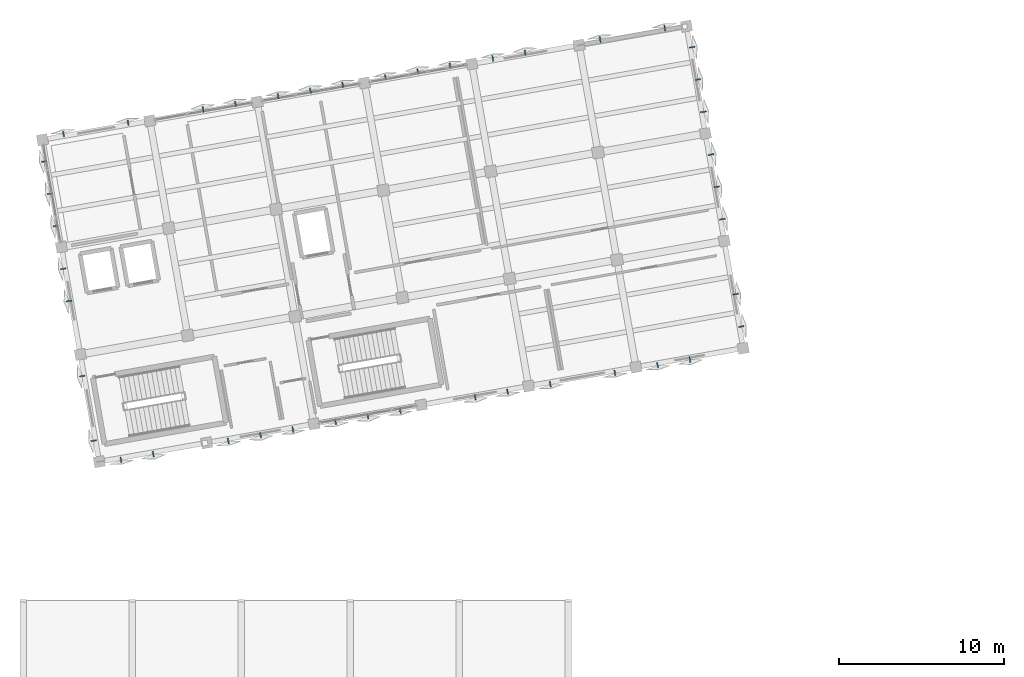
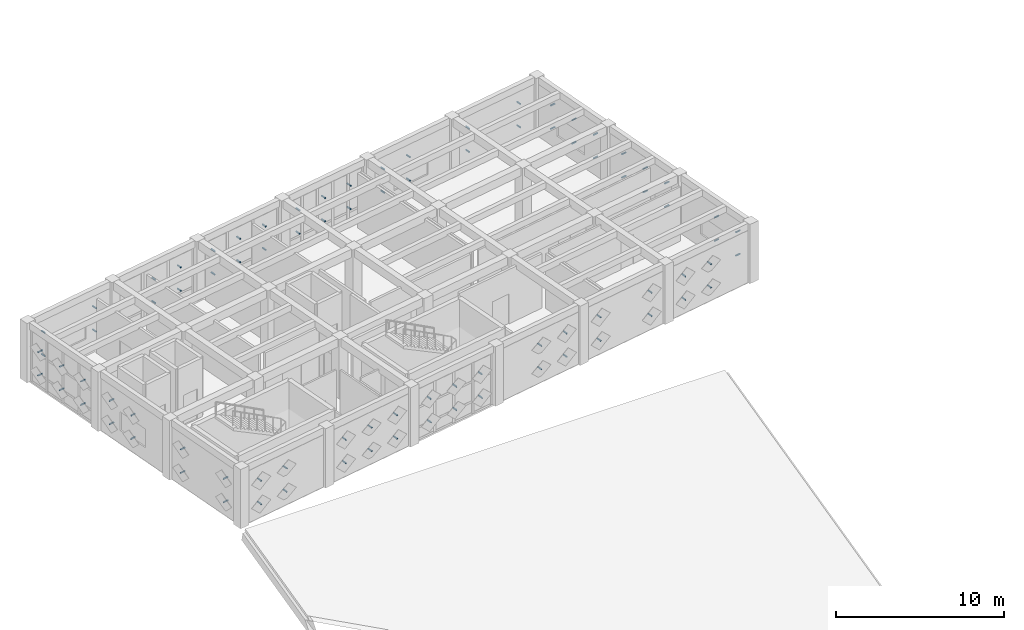
# One storey, part 34 of 39: 86 discrete accessories.
"""IFC4 building model written with IfcOpenShell, lengths in metres."""

from ifc_helpers import new_model, si_unit, direction, frame, origin, origin_2d, place, context, subcontext, project, spatial, hollow_rectangle, extrude, material, type_object, element, save


model = new_model("IFC4")

# Units and contexts
model_context = context("Model", 3, precision=1e-05, world=origin(), true_north=direction((0.0, 1.0)))
body_context = subcontext(model_context, "Body", "Model", "MODEL_VIEW")
ifc_project = project(units=[si_unit("LENGTHUNIT", "METRE"), si_unit("AREAUNIT", "SQUARE_METRE"), si_unit("VOLUMEUNIT", "CUBIC_METRE"), si_unit("PLANEANGLEUNIT", "RADIAN"), si_unit("MASSUNIT", "GRAM", prefix="KILO")], contexts=[model_context])

# Site, building, storey
site_placement = place(None, origin())
site = spatial("IfcSite", under=ifc_project, at=site_placement, CompositionType="ELEMENT")
building_placement = place(site_placement, origin())
building = spatial("IfcBuilding", under=site, at=building_placement, Name="Kharisveld Research Institute", CompositionType="ELEMENT")
storey_placement = place(building_placement, frame((0.0, 0.0, 23.10009765625)))
storey = spatial("IfcBuildingStorey", under=building, at=storey_placement, Name="L05", CompositionType="ELEMENT", Elevation=23.10009765625)

# Discrete accessories
ifc_material = material(Name="Steel S355JR", Category="steel")
discrete_accessory_type = type_object("IfcDiscreteAccessoryType", Name="BKT_ST_260", PredefinedType="BRACKET")
for number, where, z_axis, x_axis, name in (
    (1, (5.031005859375, 36.313720703125, 1.0498046875), (-0.984804615622, -0.173665969752, 0.0), (0.173665969752, -0.984804615622, 0.0), "BKT-SHD:V1:L05:W0:S0C0"),
    (2, (5.031005859375, 36.313720703125, 2.75), (-0.984804615622, -0.173665969752, 0.0), (0.173665969752, -0.984804615622, 0.0), "BKT-SHD:V1:L05:W0:S0C1"),
    (3, (4.341064453125, 40.226806640625, 1.0498046875), (-0.984804615622, -0.173665969752, 0.0), (0.173665969752, -0.984804615622, 0.0), "BKT-SHD:V1:L05:W0:S2C0"),
    (4, (4.341064453125, 40.226806640625, 2.75), (-0.984804615622, -0.173665969752, 0.0), (0.173665969752, -0.984804615622, 0.0), "BKT-SHD:V1:L05:W0:S2C1"),
    (5, (3.5400390625, 44.77001953125, 1.0498046875), (-0.984804615622, -0.173665969752, 0.0), (0.173665969752, -0.984804615622, 0.0), "BKT-SHD:V1:L05:W1:S1C0"),
    (6, (3.5400390625, 44.77001953125, 2.75), (-0.984804615622, -0.173665969752, 0.0), (0.173665969752, -0.984804615622, 0.0), "BKT-SHD:V1:L05:W1:S1C1"),
    (7, (3.195068359375, 46.7265625, 1.0498046875), (-0.984804615622, -0.173665969752, 0.0), (0.173665969752, -0.984804615622, 0.0), "BKT-SHD:V1:L05:W1:S2C0"),
    (8, (3.195068359375, 46.7265625, 2.75), (-0.984804615622, -0.173665969752, 0.0), (0.173665969752, -0.984804615622, 0.0), "BKT-SHD:V1:L05:W1:S2C1"),
):
    element("IfcDiscreteAccessory", number, at=place(storey_placement, frame(where, z_axis=z_axis, x_axis=x_axis)), inside=storey, type_object=discrete_accessory_type, material=ifc_material, Name=name, ObjectType="BRACKET", PredefinedType="BRACKET", context=body_context, shape_type="SweptSolid", body=[
        extrude(hollow_rectangle(XDim=0.080078125, YDim=0.080078125, WallThickness=0.0048828125, at=origin_2d()), origin(), (0.0, 0.0, 1.0), 0.35009765625),
    ])
for number, where, z_axis, x_axis, name in (
    (9, (2.73876953125, 49.313232421875, 1.0498046875), (-0.984783558818, -0.173785333909, 0.0), (0.173785333909, -0.984783558818, 0.0), "BKT-SHD:V1:L05:W2:S0C0"),
    (10, (2.73876953125, 49.313232421875, 2.75), (-0.984783558818, -0.173785333909, 0.0), (0.173785333909, -0.984783558818, 0.0), "BKT-SHD:V1:L05:W2:S0C1"),
    (11, (2.393798828125, 51.269775390625, 1.0498046875), (-0.984783558818, -0.173785333909, 0.0), (0.173785333909, -0.984783558818, 0.0), "BKT-SHD:V1:L05:W2:S1C0"),
    (12, (2.393798828125, 51.269775390625, 2.75), (-0.984783558818, -0.173785333909, 0.0), (0.173785333909, -0.984783558818, 0.0), "BKT-SHD:V1:L05:W2:S1C1"),
    (13, (2.048828125, 53.226318359375, 1.0498046875), (-0.984783558818, -0.173785333909, 0.0), (0.173785333909, -0.984783558818, 0.0), "BKT-SHD:V1:L05:W2:S2C0"),
    (14, (2.048828125, 53.226318359375, 2.75), (-0.984783558818, -0.173785333909, 0.0), (0.173785333909, -0.984783558818, 0.0), "BKT-SHD:V1:L05:W2:S2C1"),
):
    element("IfcDiscreteAccessory", number, at=place(storey_placement, frame(where, z_axis=z_axis, x_axis=x_axis)), inside=storey, type_object=discrete_accessory_type, material=ifc_material, Name=name, ObjectType="BRACKET", PredefinedType="BRACKET", context=body_context, shape_type="SweptSolid", body=[
        extrude(hollow_rectangle(XDim=0.080078125, YDim=0.080078125, WallThickness=0.0048828125, at=origin_2d()), origin(), (0.0, 0.0, 1.0), 0.349853515625),
    ])
for number, where, z_axis, x_axis, name in (
    (15, (3.065673828125, 54.67822265625, 1.0498046875), (-0.173665969752, 0.984804615622, 0.0), (-0.984804615622, -0.173665969752, 0.0), "BKT-SHD:V1:L05:N0:S0C0"),
    (16, (3.065673828125, 54.67822265625, 2.75), (-0.173665969752, 0.984804615622, 0.0), (-0.984804615622, -0.173665969752, 0.0), "BKT-SHD:V1:L05:N0:S0C1"),
    (17, (6.978515625, 55.3681640625, 1.0498046875), (-0.173665969752, 0.984804615622, 0.0), (-0.984804615622, -0.173665969752, 0.0), "BKT-SHD:V1:L05:N0:S2C0"),
    (18, (6.978515625, 55.3681640625, 2.75), (-0.173665969752, 0.984804615622, 0.0), (-0.984804615622, -0.173665969752, 0.0), "BKT-SHD:V1:L05:N0:S2C1"),
    (19, (11.521728515625, 56.169189453125, 1.0498046875), (-0.173665969752, 0.984804615622, 0.0), (-0.984804615622, -0.173665969752, 0.0), "BKT-SHD:V1:L05:N1:S1C0"),
    (20, (11.521728515625, 56.169189453125, 2.75), (-0.173665969752, 0.984804615622, 0.0), (-0.984804615622, -0.173665969752, 0.0), "BKT-SHD:V1:L05:N1:S1C1"),
    (21, (13.478271484375, 56.51416015625, 1.0498046875), (-0.173665969752, 0.984804615622, 0.0), (-0.984804615622, -0.173665969752, 0.0), "BKT-SHD:V1:L05:N1:S2C0"),
    (22, (13.478271484375, 56.51416015625, 2.75), (-0.173665969752, 0.984804615622, 0.0), (-0.984804615622, -0.173665969752, 0.0), "BKT-SHD:V1:L05:N1:S2C1"),
    (23, (16.06494140625, 56.97021484375, 1.0498046875), (-0.173665969752, 0.984804615622, 0.0), (-0.984804615622, -0.173665969752, 0.0), "BKT-SHD:V1:L05:N2:S0C0"),
    (24, (16.06494140625, 56.97021484375, 2.75), (-0.173665969752, 0.984804615622, 0.0), (-0.984804615622, -0.173665969752, 0.0), "BKT-SHD:V1:L05:N2:S0C1"),
    (25, (18.021484375, 57.315185546875, 1.0498046875), (-0.173665969752, 0.984804615622, 0.0), (-0.984804615622, -0.173665969752, 0.0), "BKT-SHD:V1:L05:N2:S1C0"),
    (26, (18.021484375, 57.315185546875, 2.75), (-0.173665969752, 0.984804615622, 0.0), (-0.984804615622, -0.173665969752, 0.0), "BKT-SHD:V1:L05:N2:S1C1"),
):
    element("IfcDiscreteAccessory", number, at=place(storey_placement, frame(where, z_axis=z_axis, x_axis=x_axis)), inside=storey, type_object=discrete_accessory_type, material=ifc_material, Name=name, ObjectType="BRACKET", PredefinedType="BRACKET", context=body_context, shape_type="SweptSolid", body=[
        extrude(hollow_rectangle(XDim=0.080078125, YDim=0.080078125, WallThickness=0.0048828125, at=origin_2d()), origin(), (0.0, 0.0, 1.0), 0.35009765625),
    ])
for number, where, z_axis, x_axis, name in (
    (27, (19.97802734375, 57.660400390625, 1.0498046875), (-0.173785333909, 0.984783558818, 0.0), (-0.984783558818, -0.173785333909, 0.0), "BKT-SHD:V1:L05:N2:S2C0"),
    (28, (19.97802734375, 57.660400390625, 2.75), (-0.173785333909, 0.984783558818, 0.0), (-0.984783558818, -0.173785333909, 0.0), "BKT-SHD:V1:L05:N2:S2C1"),
):
    element("IfcDiscreteAccessory", number, at=place(storey_placement, frame(where, z_axis=z_axis, x_axis=x_axis)), inside=storey, type_object=discrete_accessory_type, material=ifc_material, Name=name, ObjectType="BRACKET", PredefinedType="BRACKET", context=body_context, shape_type="SweptSolid", body=[
        extrude(hollow_rectangle(XDim=0.080078125, YDim=0.080078125, WallThickness=0.0048828125, at=origin_2d()), origin(), (0.0, 0.0, 1.0), 0.349853515625),
    ])
for number, where, z_axis, x_axis, name in (
    (29, (22.564697265625, 58.116455078125, 1.0498046875), (-0.173665969752, 0.984804615622, 0.0), (-0.984804615622, -0.173665969752, 0.0), "BKT-SHD:V1:L05:N3:S0C0"),
    (30, (22.564697265625, 58.116455078125, 2.75), (-0.173665969752, 0.984804615622, 0.0), (-0.984804615622, -0.173665969752, 0.0), "BKT-SHD:V1:L05:N3:S0C1"),
    (31, (24.521240234375, 58.46142578125, 1.0498046875), (-0.173665969752, 0.984804615622, 0.0), (-0.984804615622, -0.173665969752, 0.0), "BKT-SHD:V1:L05:N3:S1C0"),
    (32, (24.521240234375, 58.46142578125, 2.75), (-0.173665969752, 0.984804615622, 0.0), (-0.984804615622, -0.173665969752, 0.0), "BKT-SHD:V1:L05:N3:S1C1"),
    (33, (26.477783203125, 58.806396484375, 1.0498046875), (-0.173665969752, 0.984804615622, 0.0), (-0.984804615622, -0.173665969752, 0.0), "BKT-SHD:V1:L05:N3:S2C0"),
    (34, (26.477783203125, 58.806396484375, 2.75), (-0.173665969752, 0.984804615622, 0.0), (-0.984804615622, -0.173665969752, 0.0), "BKT-SHD:V1:L05:N3:S2C1"),
    (35, (29.064453125, 59.262451171875, 1.0498046875), (-0.173665969752, 0.984804615622, 0.0), (-0.984804615622, -0.173665969752, 0.0), "BKT-SHD:V1:L05:N4:S0C0"),
    (36, (29.064453125, 59.262451171875, 2.75), (-0.173665969752, 0.984804615622, 0.0), (-0.984804615622, -0.173665969752, 0.0), "BKT-SHD:V1:L05:N4:S0C1"),
    (37, (31.02099609375, 59.607421875, 1.0498046875), (-0.173665969752, 0.984804615622, 0.0), (-0.984804615622, -0.173665969752, 0.0), "BKT-SHD:V1:L05:N4:S1C0"),
    (38, (31.02099609375, 59.607421875, 2.75), (-0.173665969752, 0.984804615622, 0.0), (-0.984804615622, -0.173665969752, 0.0), "BKT-SHD:V1:L05:N4:S1C1"),
    (39, (35.564208984375, 60.408447265625, 1.0498046875), (-0.173665969752, 0.984804615622, 0.0), (-0.984804615622, -0.173665969752, 0.0), "BKT-SHD:V1:L05:N5:S0C0"),
    (40, (35.564208984375, 60.408447265625, 2.75), (-0.173665969752, 0.984804615622, 0.0), (-0.984804615622, -0.173665969752, 0.0), "BKT-SHD:V1:L05:N5:S0C1"),
):
    element("IfcDiscreteAccessory", number, at=place(storey_placement, frame(where, z_axis=z_axis, x_axis=x_axis)), inside=storey, type_object=discrete_accessory_type, material=ifc_material, Name=name, ObjectType="BRACKET", PredefinedType="BRACKET", context=body_context, shape_type="SweptSolid", body=[
        extrude(hollow_rectangle(XDim=0.080078125, YDim=0.080078125, WallThickness=0.0048828125, at=origin_2d()), origin(), (0.0, 0.0, 1.0), 0.35009765625),
    ])
for number, where, z_axis, x_axis, name in (
    (41, (39.477294921875, 61.0986328125, 1.0498046875), (-0.173785333909, 0.984783558818, 0.0), (-0.984783558818, -0.173785333909, 0.0), "BKT-SHD:V1:L05:N5:S2C0"),
    (42, (39.477294921875, 61.0986328125, 2.75), (-0.173785333909, 0.984783558818, 0.0), (-0.984783558818, -0.173785333909, 0.0), "BKT-SHD:V1:L05:N5:S2C1"),
):
    element("IfcDiscreteAccessory", number, at=place(storey_placement, frame(where, z_axis=z_axis, x_axis=x_axis)), inside=storey, type_object=discrete_accessory_type, material=ifc_material, Name=name, ObjectType="BRACKET", PredefinedType="BRACKET", context=body_context, shape_type="SweptSolid", body=[
        extrude(hollow_rectangle(XDim=0.080078125, YDim=0.080078125, WallThickness=0.0048828125, at=origin_2d()), origin(), (0.0, 0.0, 1.0), 0.349853515625),
    ])
for number, where, z_axis, x_axis, name in (
    (43, (40.92919921875, 60.081787109375, 1.0498046875), (0.984804615622, 0.173665969752, 0.0), (-0.173665969752, 0.984804615622, 0.0), "BKT-SHD:V1:L05:E3:S0C0"),
    (44, (40.92919921875, 60.081787109375, 2.75), (0.984804615622, 0.173665969752, 0.0), (-0.173665969752, 0.984804615622, 0.0), "BKT-SHD:V1:L05:E3:S0C1"),
    (45, (41.274169921875, 58.12548828125, 1.0498046875), (0.984923681133, 0.172989428414, 0.0), (-0.172989428414, 0.984923681133, 0.0), "BKT-SHD:V1:L05:E3:S1C0"),
    (46, (41.274169921875, 58.12548828125, 2.75), (0.984923681133, 0.172989428414, 0.0), (-0.172989428414, 0.984923681133, 0.0), "BKT-SHD:V1:L05:E3:S1C1"),
    (47, (41.619140625, 56.1689453125, 1.0498046875), (0.984804615622, 0.173665969752, 0.0), (-0.173665969752, 0.984804615622, 0.0), "BKT-SHD:V1:L05:E3:S2C0"),
    (48, (41.619140625, 56.1689453125, 2.75), (0.984804615622, 0.173665969752, 0.0), (-0.173665969752, 0.984804615622, 0.0), "BKT-SHD:V1:L05:E3:S2C1"),
    (49, (42.0751953125, 53.58203125, 1.0498046875), (0.984804615622, 0.173665969752, 0.0), (-0.173665969752, 0.984804615622, 0.0), "BKT-SHD:V1:L05:E2:S0C0"),
    (50, (42.0751953125, 53.58203125, 2.75), (0.984804615622, 0.173665969752, 0.0), (-0.173665969752, 0.984804615622, 0.0), "BKT-SHD:V1:L05:E2:S0C1"),
    (51, (42.420166015625, 51.625732421875, 1.0498046875), (0.984804615622, 0.173665969752, 0.0), (-0.173665969752, 0.984804615622, 0.0), "BKT-SHD:V1:L05:E2:S1C0"),
    (52, (42.420166015625, 51.625732421875, 2.75), (0.984804615622, 0.173665969752, 0.0), (-0.173665969752, 0.984804615622, 0.0), "BKT-SHD:V1:L05:E2:S1C1"),
    (53, (42.76513671875, 49.669189453125, 1.0498046875), (0.984804615622, 0.173665969752, 0.0), (-0.173665969752, 0.984804615622, 0.0), "BKT-SHD:V1:L05:E2:S2C0"),
    (54, (42.76513671875, 49.669189453125, 2.75), (0.984804615622, 0.173665969752, 0.0), (-0.173665969752, 0.984804615622, 0.0), "BKT-SHD:V1:L05:E2:S2C1"),
    (55, (43.566162109375, 45.1259765625, 1.0498046875), (0.984804615622, 0.173665969752, 0.0), (-0.173665969752, 0.984804615622, 0.0), "BKT-SHD:V1:L05:E1:S1C0"),
    (56, (43.566162109375, 45.1259765625, 2.75), (0.984804615622, 0.173665969752, 0.0), (-0.173665969752, 0.984804615622, 0.0), "BKT-SHD:V1:L05:E1:S1C1"),
    (57, (43.9111328125, 43.16943359375, 1.0498046875), (0.984804615622, 0.173665969752, 0.0), (-0.173665969752, 0.984804615622, 0.0), "BKT-SHD:V1:L05:E1:S2C0"),
    (58, (43.9111328125, 43.16943359375, 2.75), (0.984804615622, 0.173665969752, 0.0), (-0.173665969752, 0.984804615622, 0.0), "BKT-SHD:V1:L05:E1:S2C1"),
    (59, (40.93798828125, 41.37255859375, 1.0498046875), (0.173665969752, -0.984804615622, 0.0), (0.984804615622, 0.173665969752, 0.0), "BKT-SHD:V1:L05:S6:S1C0"),
    (60, (40.93798828125, 41.37255859375, 2.75), (0.173665969752, -0.984804615622, 0.0), (0.984804615622, 0.173665969752, 0.0), "BKT-SHD:V1:L05:S6:S1C1"),
    (61, (38.981689453125, 41.027587890625, 1.0498046875), (0.173665969752, -0.984804615622, 0.0), (0.984804615622, 0.173665969752, 0.0), "BKT-SHD:V1:L05:S6:S2C0"),
    (62, (38.981689453125, 41.027587890625, 2.75), (0.173665969752, -0.984804615622, 0.0), (0.984804615622, 0.173665969752, 0.0), "BKT-SHD:V1:L05:S6:S2C1"),
    (63, (36.394775390625, 40.571533203125, 1.0498046875), (0.173665969752, -0.984804615622, 0.0), (0.984804615622, 0.173665969752, 0.0), "BKT-SHD:V1:L05:S5:S0C0"),
    (64, (36.394775390625, 40.571533203125, 2.75), (0.173665969752, -0.984804615622, 0.0), (0.984804615622, 0.173665969752, 0.0), "BKT-SHD:V1:L05:S5:S0C1"),
):
    element("IfcDiscreteAccessory", number, at=place(storey_placement, frame(where, z_axis=z_axis, x_axis=x_axis)), inside=storey, type_object=discrete_accessory_type, material=ifc_material, Name=name, ObjectType="BRACKET", PredefinedType="BRACKET", context=body_context, shape_type="SweptSolid", body=[
        extrude(hollow_rectangle(XDim=0.080078125, YDim=0.080078125, WallThickness=0.0048828125, at=origin_2d()), origin(), (0.0, 0.0, 1.0), 0.35009765625),
    ])
for number, where, z_axis, x_axis, name in (
    (65, (32.48193359375, 39.88134765625, 1.0498046875), (0.173785333909, -0.984783558818, 0.0), (0.984783558818, 0.173785333909, 0.0), "BKT-SHD:V1:L05:S5:S2C0"),
    (66, (32.48193359375, 39.88134765625, 2.75), (0.173785333909, -0.984783558818, 0.0), (0.984783558818, 0.173785333909, 0.0), "BKT-SHD:V1:L05:S5:S2C1"),
):
    element("IfcDiscreteAccessory", number, at=place(storey_placement, frame(where, z_axis=z_axis, x_axis=x_axis)), inside=storey, type_object=discrete_accessory_type, material=ifc_material, Name=name, ObjectType="BRACKET", PredefinedType="BRACKET", context=body_context, shape_type="SweptSolid", body=[
        extrude(hollow_rectangle(XDim=0.080078125, YDim=0.080078125, WallThickness=0.0048828125, at=origin_2d()), origin(), (0.0, 0.0, 1.0), 0.349853515625),
    ])
for number, where, z_axis, x_axis, name in (
    (67, (29.89501953125, 39.42529296875, 1.0498046875), (0.173665969752, -0.984804615622, 0.0), (0.984804615622, 0.173665969752, 0.0), "BKT-SHD:V1:L05:S4:S0C0"),
    (68, (29.89501953125, 39.42529296875, 2.75), (0.173665969752, -0.984804615622, 0.0), (0.984804615622, 0.173665969752, 0.0), "BKT-SHD:V1:L05:S4:S0C1"),
    (69, (27.938720703125, 39.080322265625, 1.0498046875), (0.173665969752, -0.984804615622, 0.0), (0.984804615622, 0.173665969752, 0.0), "BKT-SHD:V1:L05:S4:S1C0"),
    (70, (27.938720703125, 39.080322265625, 2.75), (0.173665969752, -0.984804615622, 0.0), (0.984804615622, 0.173665969752, 0.0), "BKT-SHD:V1:L05:S4:S1C1"),
    (71, (23.3955078125, 38.279296875, 1.0498046875), (0.172989428414, -0.984923681133, 0.0), (0.984923681133, 0.172989428414, 0.0), "BKT-SHD:V1:L05:S3:S0C0"),
    (72, (23.3955078125, 38.279296875, 2.75), (0.172989428414, -0.984923681133, 0.0), (0.984923681133, 0.172989428414, 0.0), "BKT-SHD:V1:L05:S3:S0C1"),
    (73, (21.43896484375, 37.934326171875, 1.0498046875), (0.173665969752, -0.984804615622, 0.0), (0.984804615622, 0.173665969752, 0.0), "BKT-SHD:V1:L05:S3:S1C0"),
    (74, (21.43896484375, 37.934326171875, 2.75), (0.173665969752, -0.984804615622, 0.0), (0.984804615622, 0.173665969752, 0.0), "BKT-SHD:V1:L05:S3:S1C1"),
    (75, (19.482421875, 37.58935546875, 1.0498046875), (0.173665969752, -0.984804615622, 0.0), (0.984804615622, 0.173665969752, 0.0), "BKT-SHD:V1:L05:S3:S2C0"),
    (76, (19.482421875, 37.58935546875, 2.75), (0.173665969752, -0.984804615622, 0.0), (0.984804615622, 0.173665969752, 0.0), "BKT-SHD:V1:L05:S3:S2C1"),
    (77, (16.895751953125, 37.13330078125, 1.0498046875), (0.173665969752, -0.984804615622, 0.0), (0.984804615622, 0.173665969752, 0.0), "BKT-SHD:V1:L05:S2:S0C0"),
    (78, (16.895751953125, 37.13330078125, 2.75), (0.173665969752, -0.984804615622, 0.0), (0.984804615622, 0.173665969752, 0.0), "BKT-SHD:V1:L05:S2:S0C1"),
):
    element("IfcDiscreteAccessory", number, at=place(storey_placement, frame(where, z_axis=z_axis, x_axis=x_axis)), inside=storey, type_object=discrete_accessory_type, material=ifc_material, Name=name, ObjectType="BRACKET", PredefinedType="BRACKET", context=body_context, shape_type="SweptSolid", body=[
        extrude(hollow_rectangle(XDim=0.080078125, YDim=0.080078125, WallThickness=0.0048828125, at=origin_2d()), origin(), (0.0, 0.0, 1.0), 0.35009765625),
    ])
for number, where, z_axis, x_axis, name in (
    (79, (14.939208984375, 36.7880859375, 1.0498046875), (0.173785333909, -0.984783558818, 0.0), (0.984783558818, 0.173785333909, 0.0), "BKT-SHD:V1:L05:S2:S1C0"),
    (80, (14.939208984375, 36.7880859375, 2.75), (0.173785333909, -0.984783558818, 0.0), (0.984783558818, 0.173785333909, 0.0), "BKT-SHD:V1:L05:S2:S1C1"),
    (81, (12.982666015625, 36.443115234375, 1.0498046875), (0.173785333909, -0.984783558818, 0.0), (0.984783558818, 0.173785333909, 0.0), "BKT-SHD:V1:L05:S2:S2C0"),
    (82, (12.982666015625, 36.443115234375, 2.75), (0.173785333909, -0.984783558818, 0.0), (0.984783558818, 0.173785333909, 0.0), "BKT-SHD:V1:L05:S2:S2C1"),
):
    element("IfcDiscreteAccessory", number, at=place(storey_placement, frame(where, z_axis=z_axis, x_axis=x_axis)), inside=storey, type_object=discrete_accessory_type, material=ifc_material, Name=name, ObjectType="BRACKET", PredefinedType="BRACKET", context=body_context, shape_type="SweptSolid", body=[
        extrude(hollow_rectangle(XDim=0.080078125, YDim=0.080078125, WallThickness=0.0048828125, at=origin_2d()), origin(), (0.0, 0.0, 1.0), 0.349853515625),
    ])
for number, where, z_axis, x_axis, name in (
    (83, (8.439453125, 35.64208984375, 1.0498046875), (0.173665969752, -0.984804615622, 0.0), (0.984804615622, 0.173665969752, 0.0), "BKT-SHD:V1:L05:S1:S1C0"),
    (84, (8.439453125, 35.64208984375, 2.75), (0.173665969752, -0.984804615622, 0.0), (0.984804615622, 0.173665969752, 0.0), "BKT-SHD:V1:L05:S1:S1C1"),
    (85, (6.48291015625, 35.297119140625, 1.0498046875), (0.173665969752, -0.984804615622, 0.0), (0.984804615622, 0.173665969752, 0.0), "BKT-SHD:V1:L05:S1:S2C0"),
    (86, (6.48291015625, 35.297119140625, 2.75), (0.173665969752, -0.984804615622, 0.0), (0.984804615622, 0.173665969752, 0.0), "BKT-SHD:V1:L05:S1:S2C1"),
):
    element("IfcDiscreteAccessory", number, at=place(storey_placement, frame(where, z_axis=z_axis, x_axis=x_axis)), inside=storey, type_object=discrete_accessory_type, material=ifc_material, Name=name, ObjectType="BRACKET", PredefinedType="BRACKET", context=body_context, shape_type="SweptSolid", body=[
        extrude(hollow_rectangle(XDim=0.080078125, YDim=0.080078125, WallThickness=0.0048828125, at=origin_2d()), origin(), (0.0, 0.0, 1.0), 0.35009765625),
    ])

save(model, "model.ifc")
